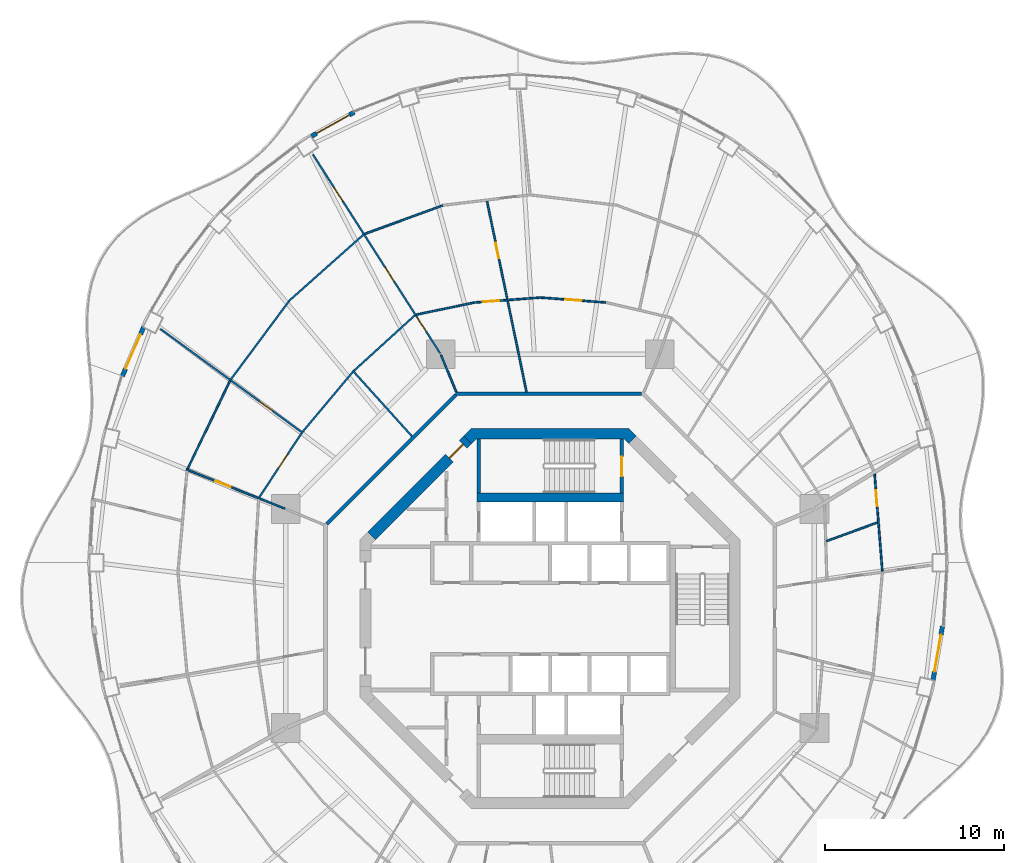
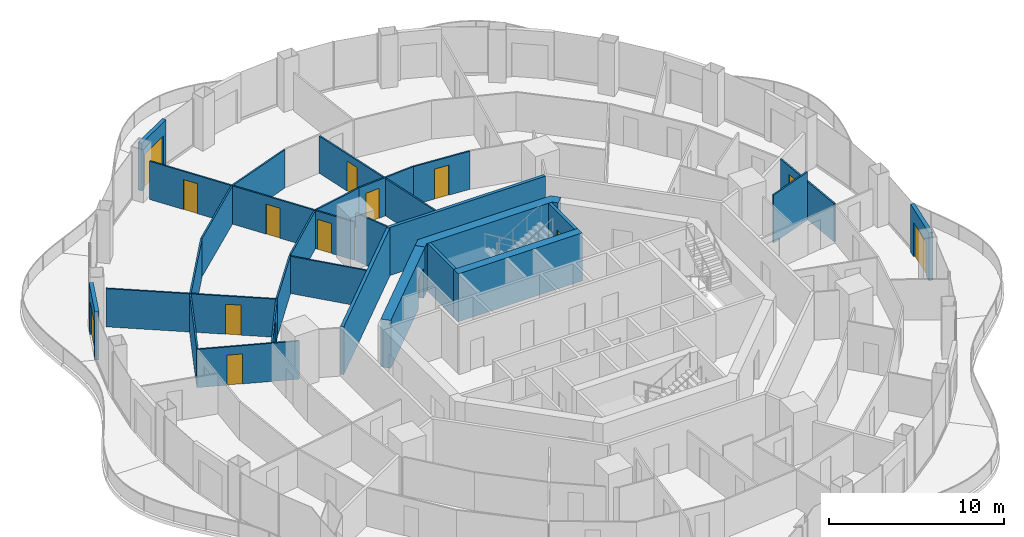
# One storey, part 13 of 18: 28 walls, 15 doors, 15 openings.
"""IFC4 building model written with IfcOpenShell, lengths in metres."""

from ifc_helpers import new_model, si_unit, direction, frame, frame_2d, origin, place, context, subcontext, project, spatial, polyline, rectangle, outline, extrude, material, layer, layer_set, type_object, element, fill, save


model = new_model("IFC4")

# Units and contexts
model_context = context("Model", 3, precision=1e-05, world=origin(), true_north=direction((0.0, 1.0)))
body_context = subcontext(model_context, "Body", "Model", "MODEL_VIEW")
ifc_project = project(units=[si_unit("LENGTHUNIT", "METRE"), si_unit("AREAUNIT", "SQUARE_METRE"), si_unit("VOLUMEUNIT", "CUBIC_METRE"), si_unit("PLANEANGLEUNIT", "RADIAN"), si_unit("MASSUNIT", "GRAM", prefix="KILO")], contexts=[model_context])

# Site, building, storey
site_placement = place(None, origin())
site = spatial("IfcSite", under=ifc_project, at=site_placement, CompositionType="ELEMENT")
building_placement = place(site_placement, origin())
building = spatial("IfcBuilding", under=site, at=building_placement, Name="Nagisa Residences", CompositionType="ELEMENT")
storey_placement = place(building_placement, frame((0.0, 0.0, 249.199951171875)))
storey = spatial("IfcBuildingStorey", under=building, at=storey_placement, Name="L63", CompositionType="ELEMENT", Elevation=249.199951171875)

# Walls
ifc_material_1 = material(Name="Gypsum board on steel studs", Category="steel")
ifc_layer_1 = layer(ifc_material_1, 0.199951171875)
ifc_layer_set_1 = layer_set([ifc_layer_1], Name="Apartment entry wall EI60 200")
wall_type_1 = type_object("IfcWallType", Name="Apartment entry wall EI60 200", PredefinedType="PARTITIONING", material=ifc_layer_set_1)
wall_1_placement = place(storey_placement, frame((5.1044921875, 12.564697265625, 0.0), z_axis=(0.0, 0.0, 1.0), x_axis=(-1.0, 0.0, 0.0)))
element("IfcWall", 1, at=wall_1_placement, inside=storey, type_object=wall_type_1, Name="wall:L63:u08", PredefinedType="PARTITIONING", context=body_context, shape_type="SweptSolid", body=[
    extrude(rectangle(XDim=10.408935546875, YDim=0.199951171875, at=frame_2d((5.20458984375, 0.0))), origin(), (0.0, 0.0, 1.0), 3.35009765625),
])
wall_2_placement = place(storey_placement, frame((-5.275146484375, 12.494140625, 0.0), z_axis=(0.0, 0.0, 1.0), x_axis=(-0.707106781187, -0.707106781187, 0.0)))
element("IfcWall", 2, at=wall_2_placement, inside=storey, type_object=wall_type_1, Name="wall:L63:u09", PredefinedType="PARTITIONING", context=body_context, shape_type="SweptSolid", body=[
    extrude(rectangle(XDim=10.209228515625, YDim=0.199951171875, at=frame_2d((5.1044921875, 0.0))), origin(), (0.0, 0.0, 1.0), 3.35009765625),
])

# Wall, opening, door
ifc_material_2 = material(Name="Gypsum board on steel studs", Category="steel")
ifc_layer_2 = layer(ifc_material_2, 0.10009765625)
ifc_layer_set_2 = layer_set([ifc_layer_2], Name="Apartment partition 100")
wall_type_2 = type_object("IfcWallType", Name="Apartment partition 100", PredefinedType="PARTITIONING", material=ifc_layer_set_2)
wall_3_placement = place(storey_placement, frame((18.578125, 2.64208984375, 0.0), z_axis=(0.0, 0.0, 1.0), x_axis=(-0.079188322924, 0.996859673932, 0.0)))
wall_3 = element("IfcWall", 3, at=wall_3_placement, inside=storey, type_object=wall_type_2, Name="wall:L63:u16", PredefinedType="PARTITIONING", context=body_context, shape_type="SweptSolid", body=[
    extrude(rectangle(XDim=5.453857421875, YDim=0.10009765625, at=frame_2d((2.72705078125, 0.0))), origin(), (0.0, 0.0, 1.0), 2.672119140625),
])
opening_1_placement = place(wall_3_placement, frame((3.653076171875, 0.0, 0.0)))
opening_1 = element("IfcOpeningElement", 4, at=opening_1_placement, cuts=wall_3, Name="Opening L63-U11", PredefinedType="OPENING", context=body_context, shape_type="SweptSolid", body=[
    extrude(rectangle(XDim=0.89990234375, YDim=2.10009765625, at=frame_2d((0.449951171875, 1.050048828125))), frame((0.0, 0.06005859375, 0.0), z_axis=(0.0, -1.0, 0.0), x_axis=(1.0, 0.0, 0.0)), (0.0, 0.0, 1.0), 0.1201171875),
])
ifc_material_3 = material(Name="Timber door set", Category="wood")
door_type_1 = type_object("IfcDoorType", Name="Apartment door 900x2100", OperationType="NOTDEFINED", PredefinedType="DOOR", material=ifc_material_3)
door_1_placement = place(opening_1_placement, origin())
door_1 = element("IfcDoor", 5, at=door_1_placement, inside=storey, type_object=door_type_1, Name="Door to en-suite bathroom, Apartment 63A", OperationType="SINGLE_SWING_LEFT", OverallHeight=2.10009765625, OverallWidth=0.89990234375, PredefinedType="DOOR", context=body_context, shape_type="SweptSolid", body=[
    extrude(rectangle(XDim=0.89990234375, YDim=2.10009765625, at=frame_2d((0.449951171875, 1.050048828125))), frame((0.0, 0.02490234375, 0.0), z_axis=(0.0, -1.0, 0.0), x_axis=(1.0, 0.0, 0.0)), (0.0, 0.0, 1.0), 0.050048828125),
])
fill(opening_1, door_1)

# Wall
wall_4_placement = place(storey_placement, frame((15.4599609375, 4.327392578125, 0.0), z_axis=(0.0, 0.0, 1.0), x_axis=(0.939452643938, 0.342678755977, 0.0)))
element("IfcWall", 6, at=wall_4_placement, inside=storey, type_object=wall_type_2, Name="wall:L63:u18", PredefinedType="PARTITIONING", context=body_context, shape_type="SweptSolid", body=[
    extrude(rectangle(XDim=3.037109375, YDim=0.10009765625, at=frame_2d((1.5185546875, 0.0))), origin(), (0.0, 0.0, 1.0), 3.35009765625),
])

# Wall, opening, door
wall_5_placement = place(storey_placement, frame((3.1005859375, 17.67138671875, 0.0), z_axis=(0.0, 0.0, 1.0), x_axis=(-0.997133705575, 0.075659587668, 0.0)))
wall_5 = element("IfcWall", 7, at=wall_5_placement, inside=storey, type_object=wall_type_2, Name="wall:L63:u33", PredefinedType="PARTITIONING", context=body_context, shape_type="SweptSolid", body=[
    extrude(rectangle(XDim=3.60107421875, YDim=0.10009765625, at=frame_2d((1.800537109375, 0.0))), origin(), (0.0, 0.0, 1.0), 2.672119140625),
])
opening_2_placement = place(wall_5_placement, frame((1.3505859375, 0.0, 0.0)))
opening_2 = element("IfcOpeningElement", 8, at=opening_2_placement, cuts=wall_5, Name="Opening L63-U31", PredefinedType="OPENING", context=body_context, shape_type="SweptSolid", body=[
    extrude(rectangle(XDim=0.89990234375, YDim=2.10009765625, at=frame_2d((0.449951171875, 1.050048828125))), frame((0.0, 0.06005859375, 0.0), z_axis=(0.0, -1.0, 0.0), x_axis=(1.0, 0.0, 0.0)), (0.0, 0.0, 1.0), 0.1201171875),
])
door_2_placement = place(opening_2_placement, origin())
door_2 = element("IfcDoor", 9, at=door_2_placement, inside=storey, type_object=door_type_1, Name="Door to store, Apartment 63B", OperationType="SINGLE_SWING_LEFT", OverallHeight=2.10009765625, OverallWidth=0.89990234375, PredefinedType="DOOR", context=body_context, shape_type="SweptSolid", body=[
    extrude(rectangle(XDim=0.89990234375, YDim=2.10009765625, at=frame_2d((0.449951171875, 1.050048828125))), frame((0.0, 0.02490234375, 0.0), z_axis=(0.0, -1.0, 0.0), x_axis=(1.0, 0.0, 0.0)), (0.0, 0.0, 1.0), 0.050048828125),
])
fill(opening_2, door_2)

wall_6_placement = place(storey_placement, frame((-0.490234375, 17.951416015625, 0.0), z_axis=(0.0, 0.0, 1.0), x_axis=(-0.99713329702, -0.075664971907, 0.0)))
wall_6 = element("IfcWall", 10, at=wall_6_placement, inside=storey, type_object=wall_type_2, Name="wall:L63:u35", PredefinedType="PARTITIONING", context=body_context, shape_type="SweptSolid", body=[
    extrude(rectangle(XDim=3.801025390625, YDim=0.10009765625, at=frame_2d((1.900390625, 0.0))), origin(), (0.0, 0.0, 1.0), 2.672119140625),
])
opening_3_placement = place(wall_6_placement, frame((2.375732421875, 0.0, 0.0)))
opening_3 = element("IfcOpeningElement", 11, at=opening_3_placement, cuts=wall_6, Name="Opening L63-U32", PredefinedType="OPENING", context=body_context, shape_type="SweptSolid", body=[
    extrude(rectangle(XDim=0.89990234375, YDim=2.10009765625, at=frame_2d((0.449951171875, 1.050048828125))), frame((0.0, 0.06005859375, 0.0), z_axis=(0.0, -1.0, 0.0), x_axis=(1.0, 0.0, 0.0)), (0.0, 0.0, 1.0), 0.1201171875),
])
door_3_placement = place(opening_3_placement, origin())
door_3 = element("IfcDoor", 12, at=door_3_placement, inside=storey, type_object=door_type_1, Name="Door to laundry, Apartment 63B", OperationType="SINGLE_SWING_RIGHT", OverallHeight=2.10009765625, OverallWidth=0.89990234375, PredefinedType="DOOR", context=body_context, shape_type="SweptSolid", body=[
    extrude(rectangle(XDim=0.89990234375, YDim=2.10009765625, at=frame_2d((0.449951171875, 1.050048828125))), frame((0.0, 0.02490234375, 0.0), z_axis=(0.0, -1.0, 0.0), x_axis=(1.0, 0.0, 0.0)), (0.0, 0.0, 1.0), 0.050048828125),
])
fill(opening_3, door_3)

wall_7_placement = place(storey_placement, frame((-1.3212890625, 12.66259765625, 0.0), z_axis=(0.0, 0.0, 1.0), x_axis=(-0.202499831859, 0.979282297449, 0.0)))
wall_7 = element("IfcWall", 13, at=wall_7_placement, inside=storey, type_object=wall_type_2, Name="wall:L63:u38", PredefinedType="PARTITIONING", context=body_context, shape_type="SweptSolid", body=[
    extrude(rectangle(XDim=10.91455078125, YDim=0.10009765625, at=frame_2d((5.457275390625, 0.0))), origin(), (0.0, 0.0, 1.0), 2.59716796875),
])
opening_4_placement = place(wall_7_placement, frame((7.63427734375, 0.0, 0.0)))
opening_4 = element("IfcOpeningElement", 14, at=opening_4_placement, cuts=wall_7, Name="Opening L63-U19", PredefinedType="OPENING", context=body_context, shape_type="SweptSolid", body=[
    extrude(rectangle(XDim=0.89990234375, YDim=2.10009765625, at=frame_2d((0.449951171875, 1.050048828125))), frame((0.0, 0.06005859375, 0.0), z_axis=(0.0, -1.0, 0.0), x_axis=(1.0, 0.0, 0.0)), (0.0, 0.0, 1.0), 0.1201171875),
])
door_4_placement = place(opening_4_placement, origin())
door_4 = element("IfcDoor", 15, at=door_4_placement, inside=storey, type_object=door_type_1, Name="Door to kitchen, Apartment 63B", OperationType="SINGLE_SWING_LEFT", OverallHeight=2.10009765625, OverallWidth=0.89990234375, PredefinedType="DOOR", context=body_context, shape_type="SweptSolid", body=[
    extrude(rectangle(XDim=0.89990234375, YDim=2.10009765625, at=frame_2d((0.449951171875, 1.050048828125))), frame((0.0, 0.02490234375, 0.0), z_axis=(0.0, -1.0, 0.0), x_axis=(1.0, 0.0, 0.0)), (0.0, 0.0, 1.0), 0.050048828125),
])
fill(opening_4, door_4)

# Walls
wall_8_placement = place(storey_placement, frame((-4.279541015625, 17.657470703125, 0.0), z_axis=(0.0, 0.0, 1.0), x_axis=(-0.979205232861, -0.202872156637, 0.0)))
element("IfcWall", 16, at=wall_8_placement, inside=storey, type_object=wall_type_2, Name="wall:L63:u39", PredefinedType="PARTITIONING", context=body_context, shape_type="SweptSolid", body=[
    extrude(rectangle(XDim=3.27099609375, YDim=0.10009765625, at=frame_2d((1.635498046875, 0.0))), origin(), (0.0, 0.0, 1.0), 2.672119140625),
])
wall_9_placement = place(storey_placement, frame((-6.01416015625, 23.093505859375, 0.0), z_axis=(0.0, 0.0, 1.0), x_axis=(-0.939417400947, -0.342775359089, 0.0)))
element("IfcWall", 17, at=wall_9_placement, inside=storey, type_object=wall_type_2, Name="wall:L63:u40", PredefinedType="PARTITIONING", context=body_context, shape_type="SweptSolid", body=[
    extrude(rectangle(XDim=4.632568359375, YDim=0.10009765625, at=frame_2d((2.31640625, 0.0))), origin(), (0.0, 0.0, 1.0), 2.672119140625),
])
wall_10_placement = place(storey_placement, frame((-5.24267578125, 12.6572265625, 0.0), z_axis=(0.0, 0.0, 1.0), x_axis=(-0.382757529444, 0.923848837015, 0.0)))
element("IfcWall", 18, at=wall_10_placement, inside=storey, type_object=wall_type_2, Name="wall:L63:u41", PredefinedType="PARTITIONING", context=body_context, shape_type="SweptSolid", body=[
    extrude(rectangle(XDim=2.249755859375, YDim=0.10009765625, at=frame_2d((1.125, 0.0))), origin(), (0.0, 0.0, 1.0), 3.35009765625),
])

# Wall, openings, doors
wall_11_placement = place(storey_placement, frame((-6.14990234375, 14.82421875, 0.0), z_axis=(0.0, 0.0, 1.0), x_axis=(-0.538870687577, 0.842388498301, 0.0)))
wall_11 = element("IfcWall", 19, at=wall_11_placement, inside=storey, type_object=wall_type_2, Name="wall:L63:u42", PredefinedType="PARTITIONING", context=body_context, shape_type="SweptSolid", body=[
    extrude(rectangle(XDim=13.212646484375, YDim=0.10009765625, at=frame_2d((6.6064453125, 0.0))), origin(), (0.0, 0.0, 1.0), 2.672119140625),
])
opening_5_placement = place(wall_11_placement, frame((4.787353515625, 0.0, 0.0)))
opening_5 = element("IfcOpeningElement", 20, at=opening_5_placement, cuts=wall_11, Name="Opening L63-U20", PredefinedType="OPENING", context=body_context, shape_type="SweptSolid", body=[
    extrude(rectangle(XDim=0.89990234375, YDim=2.10009765625, at=frame_2d((0.449951171875, 1.050048828125))), frame((0.0, 0.06005859375, 0.0), z_axis=(0.0, -1.0, 0.0), x_axis=(1.0, 0.0, 0.0)), (0.0, 0.0, 1.0), 0.1201171875),
])
opening_6_placement = place(wall_11_placement, frame((10.112060546875, 0.0, 0.0)))
opening_6 = element("IfcOpeningElement", 21, at=opening_6_placement, cuts=wall_11, Name="Opening L63-U27", PredefinedType="OPENING", context=body_context, shape_type="SweptSolid", body=[
    extrude(rectangle(XDim=0.89990234375, YDim=2.10009765625, at=frame_2d((0.449951171875, 1.050048828125))), frame((0.0, 0.06005859375, 0.0), z_axis=(0.0, -1.0, 0.0), x_axis=(1.0, 0.0, 0.0)), (0.0, 0.0, 1.0), 0.1201171875),
])
opening_7_placement = place(wall_11_placement, frame((1.4833984375, 0.0, 0.0)))
opening_7 = element("IfcOpeningElement", 22, at=opening_7_placement, cuts=wall_11, Name="Opening L63-U33", PredefinedType="OPENING", context=body_context, shape_type="SweptSolid", body=[
    extrude(rectangle(XDim=0.89990234375, YDim=2.10009765625, at=frame_2d((0.449951171875, 1.050048828125))), frame((0.0, 0.06005859375, 0.0), z_axis=(0.0, -1.0, 0.0), x_axis=(1.0, 0.0, 0.0)), (0.0, 0.0, 1.0), 0.1201171875),
])
door_5_placement = place(opening_5_placement, origin())
door_5 = element("IfcDoor", 23, at=door_5_placement, inside=storey, type_object=door_type_1, Name="Door to family room, Apartment 63B", OperationType="SINGLE_SWING_RIGHT", OverallHeight=2.10009765625, OverallWidth=0.89990234375, PredefinedType="DOOR", context=body_context, shape_type="SweptSolid", body=[
    extrude(rectangle(XDim=0.89990234375, YDim=2.10009765625, at=frame_2d((0.449951171875, 1.050048828125))), frame((0.0, 0.02490234375, 0.0), z_axis=(0.0, -1.0, 0.0), x_axis=(1.0, 0.0, 0.0)), (0.0, 0.0, 1.0), 0.050048828125),
])
fill(opening_5, door_5)
door_6_placement = place(opening_6_placement, origin())
door_6 = element("IfcDoor", 24, at=door_6_placement, inside=storey, type_object=door_type_1, Name="Door to family room, Apartment 63B", OperationType="SINGLE_SWING_LEFT", OverallHeight=2.10009765625, OverallWidth=0.89990234375, PredefinedType="DOOR", context=body_context, shape_type="SweptSolid", body=[
    extrude(rectangle(XDim=0.89990234375, YDim=2.10009765625, at=frame_2d((0.449951171875, 1.050048828125))), frame((0.0, 0.02490234375, 0.0), z_axis=(0.0, -1.0, 0.0), x_axis=(1.0, 0.0, 0.0)), (0.0, 0.0, 1.0), 0.050048828125),
])
fill(opening_6, door_6)
door_7_placement = place(opening_7_placement, origin())
door_7 = element("IfcDoor", 25, at=door_7_placement, inside=storey, type_object=door_type_1, Name="Door to store, Apartment 63B", OperationType="SINGLE_SWING_LEFT", OverallHeight=2.10009765625, OverallWidth=0.89990234375, PredefinedType="DOOR", context=body_context, shape_type="SweptSolid", body=[
    extrude(rectangle(XDim=0.89990234375, YDim=2.10009765625, at=frame_2d((0.449951171875, 1.050048828125))), frame((0.0, 0.02490234375, 0.0), z_axis=(0.0, -1.0, 0.0), x_axis=(1.0, 0.0, 0.0)), (0.0, 0.0, 1.0), 0.050048828125),
])
fill(opening_7, door_7)

# Walls
wall_12_placement = place(storey_placement, frame((-7.568359375, 16.949951171875, 0.0), z_axis=(0.0, 0.0, 1.0), x_axis=(-0.739848749506, -0.672773236577, 0.0)))
element("IfcWall", 26, at=wall_12_placement, inside=storey, type_object=wall_type_2, Name="wall:L63:u43", PredefinedType="PARTITIONING", context=body_context, shape_type="SweptSolid", body=[
    extrude(rectangle(XDim=4.59716796875, YDim=0.10009765625, at=frame_2d((2.298583984375, 0.0))), origin(), (0.0, 0.0, 1.0), 2.672119140625),
])
wall_13_placement = place(storey_placement, frame((-10.450439453125, 21.455322265625, 0.0), z_axis=(0.0, 0.0, 1.0), x_axis=(-0.747155565726, -0.664649201162, 0.0)))
element("IfcWall", 27, at=wall_13_placement, inside=storey, type_object=wall_type_2, Name="wall:L63:u44", PredefinedType="PARTITIONING", context=body_context, shape_type="SweptSolid", body=[
    extrude(rectangle(XDim=5.574951171875, YDim=0.10009765625, at=frame_2d((2.78759765625, 0.0))), origin(), (0.0, 0.0, 1.0), 2.672119140625),
])
wall_14_placement = place(storey_placement, frame((-7.724853515625, 10.185546875, 0.0), z_axis=(0.0, 0.0, 1.0), x_axis=(-0.669817301526, 0.742525947409, 0.0)))
element("IfcWall", 28, at=wall_14_placement, inside=storey, type_object=wall_type_2, Name="wall:L63:u45", PredefinedType="PARTITIONING", context=body_context, shape_type="SweptSolid", body=[
    extrude(rectangle(XDim=4.949462890625, YDim=0.10009765625, at=frame_2d((2.474609375, 0.0))), origin(), (0.0, 0.0, 1.0), 2.59716796875),
])
wall_15_placement = place(storey_placement, frame((-11.03857421875, 13.78515625, 0.0), z_axis=(0.0, 0.0, 1.0), x_axis=(-0.642258090087, -0.766488451131, 0.0)))
element("IfcWall", 29, at=wall_15_placement, inside=storey, type_object=wall_type_2, Name="wall:L63:u46", PredefinedType="PARTITIONING", context=body_context, shape_type="SweptSolid", body=[
    extrude(rectangle(XDim=4.36083984375, YDim=0.10009765625, at=frame_2d((2.180419921875, 0.0))), origin(), (0.0, 0.0, 1.0), 2.672119140625),
])
wall_16_placement = place(storey_placement, frame((-14.608154296875, 17.7431640625, 0.0), z_axis=(0.0, 0.0, 1.0), x_axis=(-0.596174489482, -0.8028548923, 0.0)))
element("IfcWall", 30, at=wall_16_placement, inside=storey, type_object=wall_type_2, Name="wall:L63:u47", PredefinedType="PARTITIONING", context=body_context, shape_type="SweptSolid", body=[
    extrude(rectangle(XDim=5.44189453125, YDim=0.10009765625, at=frame_2d((2.720947265625, 0.0))), origin(), (0.0, 0.0, 1.0), 2.672119140625),
])

# Wall, opening, door
wall_17_placement = place(storey_placement, frame((-13.8310546875, 10.374755859375, 0.0), z_axis=(0.0, 0.0, 1.0), x_axis=(-0.807534306161, 0.589820603551, 0.0)))
wall_17 = element("IfcWall", 31, at=wall_17_placement, inside=storey, type_object=wall_type_2, Name="wall:L63:u48", PredefinedType="PARTITIONING", context=body_context, shape_type="SweptSolid", body=[
    extrude(rectangle(XDim=9.870361328125, YDim=0.10009765625, at=frame_2d((4.93505859375, 0.0))), origin(), (0.0, 0.0, 1.0), 2.672119140625),
])
opening_8_placement = place(wall_17_placement, frame((2.08349609375, 0.0, 0.0)))
opening_8 = element("IfcOpeningElement", 32, at=opening_8_placement, cuts=wall_17, Name="Opening L63-U21", PredefinedType="OPENING", context=body_context, shape_type="SweptSolid", body=[
    extrude(rectangle(XDim=0.89990234375, YDim=2.10009765625, at=frame_2d((0.449951171875, 1.050048828125))), frame((0.0, 0.06005859375, 0.0), z_axis=(0.0, -1.0, 0.0), x_axis=(1.0, 0.0, 0.0)), (0.0, 0.0, 1.0), 0.1201171875),
])
door_8_placement = place(opening_8_placement, origin())
door_8 = element("IfcDoor", 33, at=door_8_placement, inside=storey, type_object=door_type_1, Name="Door to kitchen, Apartment 63B", OperationType="SINGLE_SWING_LEFT", OverallHeight=2.10009765625, OverallWidth=0.89990234375, PredefinedType="DOOR", context=body_context, shape_type="SweptSolid", body=[
    extrude(rectangle(XDim=0.89990234375, YDim=2.10009765625, at=frame_2d((0.449951171875, 1.050048828125))), frame((0.0, 0.02490234375, 0.0), z_axis=(0.0, -1.0, 0.0), x_axis=(1.0, 0.0, 0.0)), (0.0, 0.0, 1.0), 0.050048828125),
])
fill(opening_8, door_8)

wall_18_placement = place(storey_placement, frame((-13.899169921875, 10.362548828125, 0.0), z_axis=(0.0, 0.0, 1.0), x_axis=(-0.551268538455, -0.834327872308, 0.0)))
wall_18 = element("IfcWall", 34, at=wall_18_placement, inside=storey, type_object=wall_type_2, Name="wall:L63:u49", PredefinedType="PARTITIONING", context=body_context, shape_type="SweptSolid", body=[
    extrude(rectangle(XDim=4.307373046875, YDim=0.10009765625, at=frame_2d((2.15380859375, 0.0))), origin(), (0.0, 0.0, 1.0), 2.672119140625),
])
opening_9_placement = place(wall_18_placement, frame((1.43310546875, 0.0, 0.0)))
opening_9 = element("IfcOpeningElement", 35, at=opening_9_placement, cuts=wall_18, Name="Opening L63-U34", PredefinedType="OPENING", context=body_context, shape_type="SweptSolid", body=[
    extrude(rectangle(XDim=0.89990234375, YDim=2.10009765625, at=frame_2d((0.449951171875, 1.050048828125))), frame((0.0, 0.06005859375, 0.0), z_axis=(0.0, -1.0, 0.0), x_axis=(1.0, 0.0, 0.0)), (0.0, 0.0, 1.0), 0.1201171875),
])
door_9_placement = place(opening_9_placement, origin())
door_9 = element("IfcDoor", 36, at=door_9_placement, inside=storey, type_object=door_type_1, Name="Door to laundry, Apartment 63B", OperationType="SINGLE_SWING_RIGHT", OverallHeight=2.10009765625, OverallWidth=0.89990234375, PredefinedType="DOOR", context=body_context, shape_type="SweptSolid", body=[
    extrude(rectangle(XDim=0.89990234375, YDim=2.10009765625, at=frame_2d((0.449951171875, 1.050048828125))), frame((0.0, 0.02490234375, 0.0), z_axis=(0.0, -1.0, 0.0), x_axis=(1.0, 0.0, 0.0)), (0.0, 0.0, 1.0), 0.050048828125),
])
fill(opening_9, door_9)

# Wall
wall_19_placement = place(storey_placement, frame((-17.904052734375, 13.288818359375, 0.0), z_axis=(0.0, 0.0, 1.0), x_axis=(-0.434292070406, -0.900772111903, 0.0)))
element("IfcWall", 37, at=wall_19_placement, inside=storey, type_object=wall_type_2, Name="wall:L63:u50", PredefinedType="PARTITIONING", context=body_context, shape_type="SweptSolid", body=[
    extrude(rectangle(XDim=5.46875, YDim=0.10009765625, at=frame_2d((2.734375, 0.0))), origin(), (0.0, 0.0, 1.0), 2.672119140625),
])

# Wall, opening, door
wall_20_placement = place(storey_placement, frame((-14.82861328125, 6.141357421875, 0.0), z_axis=(0.0, 0.0, 1.0), x_axis=(-0.92919221305, 0.369596849563, 0.0)))
wall_20 = element("IfcWall", 38, at=wall_20_placement, inside=storey, type_object=wall_type_2, Name="wall:L63:u52", PredefinedType="PARTITIONING", context=body_context, shape_type="SweptSolid", body=[
    extrude(rectangle(XDim=5.939208984375, YDim=0.10009765625, at=frame_2d((2.9697265625, 0.0))), origin(), (0.0, 0.0, 1.0), 2.672119140625),
])
opening_10_placement = place(wall_20_placement, frame((3.287109375, 0.0, 0.0)))
opening_10 = element("IfcOpeningElement", 39, at=opening_10_placement, cuts=wall_20, Name="Opening L63-U22", PredefinedType="OPENING", context=body_context, shape_type="SweptSolid", body=[
    extrude(rectangle(XDim=0.89990234375, YDim=2.10009765625, at=frame_2d((0.449951171875, 1.050048828125))), frame((0.0, 0.06005859375, 0.0), z_axis=(0.0, -1.0, 0.0), x_axis=(1.0, 0.0, 0.0)), (0.0, 0.0, 1.0), 0.1201171875),
])
door_10_placement = place(opening_10_placement, origin())
door_10 = element("IfcDoor", 40, at=door_10_placement, inside=storey, type_object=door_type_1, Name="Door to dining room, Apartment 63B", OperationType="SINGLE_SWING_RIGHT", OverallHeight=2.10009765625, OverallWidth=0.89990234375, PredefinedType="DOOR", context=body_context, shape_type="SweptSolid", body=[
    extrude(rectangle(XDim=0.89990234375, YDim=2.10009765625, at=frame_2d((0.449951171875, 1.050048828125))), frame((0.0, 0.02490234375, 0.0), z_axis=(0.0, -1.0, 0.0), x_axis=(1.0, 0.0, 0.0)), (0.0, 0.0, 1.0), 0.050048828125),
])
fill(opening_10, door_10)

ifc_material_4 = material(Name="Precast concrete C40/50", Category="concrete")
ifc_layer_3 = layer(ifc_material_4, 0.25)
ifc_layer_set_3 = layer_set([ifc_layer_3], Name="BALCONY DOOR WALL 250")
wall_type_3 = type_object("IfcWallType", Name="BALCONY DOOR WALL 250", PredefinedType="SOLIDWALL", material=ifc_layer_set_3)
wall_21_placement = place(storey_placement, frame((-13.337890625, 26.973876953125, 0.0), z_axis=(0.0, 0.0, 1.0), x_axis=(0.872101280701, 0.489325409313, 0.0)))
wall_21 = element("IfcWall", 41, at=wall_21_placement, inside=storey, type_object=wall_type_3, Name="wall:L63:bay15", PredefinedType="SOLIDWALL", context=body_context, shape_type="SweptSolid", body=[
    extrude(rectangle(XDim=2.738037109375, YDim=0.25, at=frame_2d((1.369140625, 0.0))), origin(), (0.0, 0.0, 1.0), 3.35009765625),
])
opening_11_placement = place(wall_21_placement, frame((0.319091796875, 0.0, 0.0)))
opening_11 = element("IfcOpeningElement", 42, at=opening_11_placement, cuts=wall_21, Name="Opening BD-L63-06", PredefinedType="OPENING", context=body_context, shape_type="SweptSolid", body=[
    extrude(rectangle(XDim=2.10009765625, YDim=2.39990234375, at=frame_2d((1.050048828125, 1.199951171875))), frame((0.0, 0.135009765625, 0.0), z_axis=(0.0, -1.0, 0.0), x_axis=(1.0, 0.0, 0.0)), (0.0, 0.0, 1.0), 0.27001953125),
])
ifc_material_5 = material(Name="Aluminium and clear glass", Category="aluminium")
door_type_2 = type_object("IfcDoorType", Name="BALCONY SLIDING DOOR 2100x2400", OperationType="SLIDING_TO_LEFT", PredefinedType="DOOR", material=ifc_material_5)
door_11_placement = place(opening_11_placement, origin())
door_11 = element("IfcDoor", 43, at=door_11_placement, inside=storey, type_object=door_type_2, Name="door:L63:bay15", OperationType="SLIDING_TO_LEFT", OverallHeight=2.39990234375, OverallWidth=2.10009765625, PredefinedType="DOOR", context=body_context, shape_type="SweptSolid", body=[
    extrude(rectangle(XDim=2.10009765625, YDim=2.39990234375, at=frame_2d((1.050048828125, 1.199951171875))), frame((0.0, 0.02490234375, 0.0), z_axis=(0.0, -1.0, 0.0), x_axis=(1.0, 0.0, 0.0)), (0.0, 0.0, 1.0), 0.050048828125),
])
fill(opening_11, door_11)

wall_22_placement = place(storey_placement, frame((-23.923095703125, 13.5498046875, 0.0), z_axis=(0.0, 0.0, 1.0), x_axis=(0.397685034628, 0.917521996048, 0.0)))
wall_22 = element("IfcWall", 44, at=wall_22_placement, inside=storey, type_object=wall_type_3, Name="wall:L63:bay20", PredefinedType="SOLIDWALL", context=body_context, shape_type="SweptSolid", body=[
    extrude(rectangle(XDim=3.001953125, YDim=0.25, at=frame_2d((1.5009765625, 0.0))), origin(), (0.0, 0.0, 1.0), 3.35009765625),
])
opening_12_placement = place(wall_22_placement, frame((0.450927734375, 0.0, 0.0)))
opening_12 = element("IfcOpeningElement", 45, at=opening_12_placement, cuts=wall_22, Name="Opening BD-L63-07", PredefinedType="OPENING", context=body_context, shape_type="SweptSolid", body=[
    extrude(rectangle(XDim=2.10009765625, YDim=2.39990234375, at=frame_2d((1.050048828125, 1.199951171875))), frame((0.0, 0.135009765625, 0.0), z_axis=(0.0, -1.0, 0.0), x_axis=(1.0, 0.0, 0.0)), (0.0, 0.0, 1.0), 0.27001953125),
])
door_12_placement = place(opening_12_placement, origin())
door_12 = element("IfcDoor", 46, at=door_12_placement, inside=storey, type_object=door_type_2, Name="door:L63:bay20", OperationType="SLIDING_TO_LEFT", OverallHeight=2.39990234375, OverallWidth=2.10009765625, PredefinedType="DOOR", context=body_context, shape_type="SweptSolid", body=[
    extrude(rectangle(XDim=2.10009765625, YDim=2.39990234375, at=frame_2d((1.050048828125, 1.199951171875))), frame((0.0, 0.02490234375, 0.0), z_axis=(0.0, -1.0, 0.0), x_axis=(1.0, 0.0, 0.0)), (0.0, 0.0, 1.0), 0.050048828125),
])
fill(opening_12, door_12)

wall_23_placement = place(storey_placement, frame((21.94091796875, -0.435791015625, 0.0), z_axis=(0.0, 0.0, 1.0), x_axis=(-0.172164083933, -0.985068286061, 0.0)))
wall_23 = element("IfcWall", 47, at=wall_23_placement, inside=storey, type_object=wall_type_3, Name="wall:L63:bay46", PredefinedType="SOLIDWALL", context=body_context, shape_type="SweptSolid", body=[
    extrude(rectangle(XDim=3.0673828125, YDim=0.25, at=frame_2d((1.53369140625, 0.0))), origin(), (0.0, 0.0, 1.0), 3.35009765625),
])
opening_13_placement = place(wall_23_placement, frame((0.483642578125, 0.0, 0.0)))
opening_13 = element("IfcOpeningElement", 48, at=opening_13_placement, cuts=wall_23, Name="Opening BD-L63-16", PredefinedType="OPENING", context=body_context, shape_type="SweptSolid", body=[
    extrude(rectangle(XDim=2.10009765625, YDim=2.39990234375, at=frame_2d((1.050048828125, 1.199951171875))), frame((0.0, 0.135009765625, 0.0), z_axis=(0.0, -1.0, 0.0), x_axis=(1.0, 0.0, 0.0)), (0.0, 0.0, 1.0), 0.27001953125),
])
door_13_placement = place(opening_13_placement, origin())
door_13 = element("IfcDoor", 49, at=door_13_placement, inside=storey, type_object=door_type_2, Name="door:L63:bay46", OperationType="SLIDING_TO_LEFT", OverallHeight=2.39990234375, OverallWidth=2.10009765625, PredefinedType="DOOR", context=body_context, shape_type="SweptSolid", body=[
    extrude(rectangle(XDim=2.10009765625, YDim=2.39990234375, at=frame_2d((1.050048828125, 1.199951171875))), frame((0.0, 0.02490234375, 0.0), z_axis=(0.0, -1.0, 0.0), x_axis=(1.0, 0.0, 0.0)), (0.0, 0.0, 1.0), 0.050048828125),
])
fill(opening_13, door_13)

ifc_material_6 = material(Name="Concrete C60", Category="concrete")
ifc_layer_4 = layer(ifc_material_6, 0.60009765625)
ifc_layer_set_4 = layer_set([ifc_layer_4], Name="Core shear wall 600")
wall_type_4 = type_object("IfcWallType", Name="Core shear wall 600", PredefinedType="SHEAR", material=ifc_layer_set_4)
wall_24_placement = place(storey_placement, frame((-4.613037109375, 9.98828125, 0.0), z_axis=(0.0, 0.0, 1.0), x_axis=(-0.707106781187, -0.707106781187, 0.0)))
wall_24 = element("IfcWall", 50, at=wall_24_placement, inside=storey, type_object=wall_type_4, Name="wall:L63:core:flat3", PredefinedType="SHEAR", context=body_context, shape_type="SweptSolid", body=[
    extrude(rectangle(XDim=7.601806640625, YDim=0.60009765625, at=frame_2d((3.80078125, 0.0))), origin(), (0.0, 0.0, 1.0), 3.35009765625),
])
opening_14_placement = place(wall_24_placement, frame((0.350830078125, 0.0, 0.0)))
opening_14 = element("IfcOpeningElement", 51, at=opening_14_placement, cuts=wall_24, Name="Opening L63-C23", PredefinedType="OPENING", context=body_context, shape_type="SweptSolid", body=[
    extrude(rectangle(XDim=1.10009765625, YDim=2.10009765625, at=frame_2d((0.550048828125, 1.050048828125))), frame((0.0, 0.31005859375, 0.0), z_axis=(0.0, -1.0, 0.0), x_axis=(1.0, 0.0, 0.0)), (0.0, 0.0, 1.0), 0.6201171875),
])
ifc_material_7 = material(Name="Steel fire door", Category="steel")
door_type_3 = type_object("IfcDoorType", Name="Fire door EI60 1100x2100 single swing", OperationType="NOTDEFINED", PredefinedType="DOOR", material=ifc_material_7)
door_14_placement = place(opening_14_placement, origin())
door_14 = element("IfcDoor", 52, at=door_14_placement, inside=storey, type_object=door_type_3, Name="Service lobby door L63", OperationType="SINGLE_SWING_RIGHT", OverallHeight=2.10009765625, OverallWidth=1.10009765625, PredefinedType="DOOR", context=body_context, shape_type="SweptSolid", body=[
    extrude(rectangle(XDim=1.10009765625, YDim=2.10009765625, at=frame_2d((0.550048828125, 1.050048828125))), frame((0.0, 0.02490234375, 0.0), z_axis=(0.0, -1.0, 0.0), x_axis=(1.0, 0.0, 0.0)), (0.0, 0.0, 1.0), 0.050048828125),
])
fill(opening_14, door_14)

# Wall
wall_25_placement = place(storey_placement, origin())
element("IfcWall", 53, at=wall_25_placement, inside=storey, type_object=wall_type_4, Name="wall:L63:core:flat2", PredefinedType="SHEAR", context=body_context, shape_type="SweptSolid", body=[
    extrude(outline(polyline([(-4.15234375, 10.024658203125), (-4.40087890625, 9.776123046875), (-4.8251953125, 10.200439453125), (-4.40087890625, 10.62451171875), (4.40087890625, 10.62451171875), (4.8251953125, 10.200439453125), (4.40087890625, 9.776123046875), (4.15234375, 10.024658203125), (-4.15234375, 10.024658203125)])), origin(), (0.0, 0.0, 1.0), 3.35009765625),
])

# Wall, opening, door
ifc_material_8 = material(Name="Concrete C60", Category="concrete")
ifc_layer_5 = layer(ifc_material_8, 0.199951171875)
ifc_layer_set_5 = layer_set([ifc_layer_5], Name="Stair enclosure wall 200")
wall_type_5 = type_object("IfcWallType", Name="Stair enclosure wall 200", PredefinedType="SOLIDWALL", material=ifc_layer_set_5)
wall_26_placement = place(storey_placement, frame((4.0, 7.024658203125, 0.0), z_axis=(0.0, 0.0, 1.0), x_axis=(0.0, 1.0, 0.0)))
wall_26 = element("IfcWall", 54, at=wall_26_placement, inside=storey, type_object=wall_type_5, Name="wall:L63:SN_e", PredefinedType="SOLIDWALL", context=body_context, shape_type="SweptSolid", body=[
    extrude(rectangle(XDim=3.0, YDim=0.199951171875, at=frame_2d((1.5, 0.0))), origin(), (0.0, 0.0, 1.0), 3.35009765625),
])
opening_15_placement = place(wall_26_placement, frame((0.92529296875, 0.0, 0.0)))
opening_15 = element("IfcOpeningElement", 55, at=opening_15_placement, cuts=wall_26, Name="Opening L63-C09", PredefinedType="OPENING", context=body_context, shape_type="SweptSolid", body=[
    extrude(rectangle(XDim=1.10009765625, YDim=2.10009765625, at=frame_2d((0.550048828125, 1.050048828125))), frame((0.0, 0.10986328125, 0.0), z_axis=(0.0, -1.0, 0.0), x_axis=(1.0, 0.0, 0.0)), (0.0, 0.0, 1.0), 0.219970703125),
])
ifc_material_9 = material(Name="Steel fire door", Category="steel")
door_type_4 = type_object("IfcDoorType", Name="Fire door EI90 1100x2100 single swing", OperationType="NOTDEFINED", PredefinedType="DOOR", material=ifc_material_9)
door_15_placement = place(opening_15_placement, origin())
door_15 = element("IfcDoor", 56, at=door_15_placement, inside=storey, type_object=door_type_4, Name="Stair door ST-N L63", OperationType="SINGLE_SWING_LEFT", OverallHeight=2.10009765625, OverallWidth=1.10009765625, PredefinedType="DOOR", context=body_context, shape_type="SweptSolid", body=[
    extrude(rectangle(XDim=1.10009765625, YDim=2.10009765625, at=frame_2d((0.550048828125, 1.050048828125))), frame((0.0, 0.02490234375, 0.0), z_axis=(0.0, -1.0, 0.0), x_axis=(1.0, 0.0, 0.0)), (0.0, 0.0, 1.0), 0.050048828125),
])
fill(opening_15, door_15)

# Walls
wall_27_placement = place(storey_placement, origin())
element("IfcWall", 57, at=wall_27_placement, inside=storey, type_object=wall_type_5, Name="wall:L63:SN_w", PredefinedType="SOLIDWALL", context=body_context, shape_type="SweptSolid", body=[
    extrude(outline(polyline([(-3.89990234375, 7.024658203125), (-4.10009765625, 7.024658203125), (-4.10009765625, 10.024658203125), (-3.89990234375, 10.024658203125), (-3.89990234375, 7.024658203125)])), origin(), (0.0, 0.0, 1.0), 3.35009765625),
])
wall_28_placement = place(storey_placement, origin())
element("IfcWall", 58, at=wall_28_placement, inside=storey, type_object=wall_type_5, Name="wall:L63:SN_s", PredefinedType="SOLIDWALL", context=body_context, shape_type="SweptSolid", body=[
    extrude(outline(polyline([(4.10009765625, 6.5), (-4.10009765625, 6.5), (-4.10009765625, 7.024658203125), (4.10009765625, 7.024658203125), (4.10009765625, 6.5)])), origin(), (0.0, 0.0, 1.0), 3.35009765625),
])

save(model, "model.ifc")
